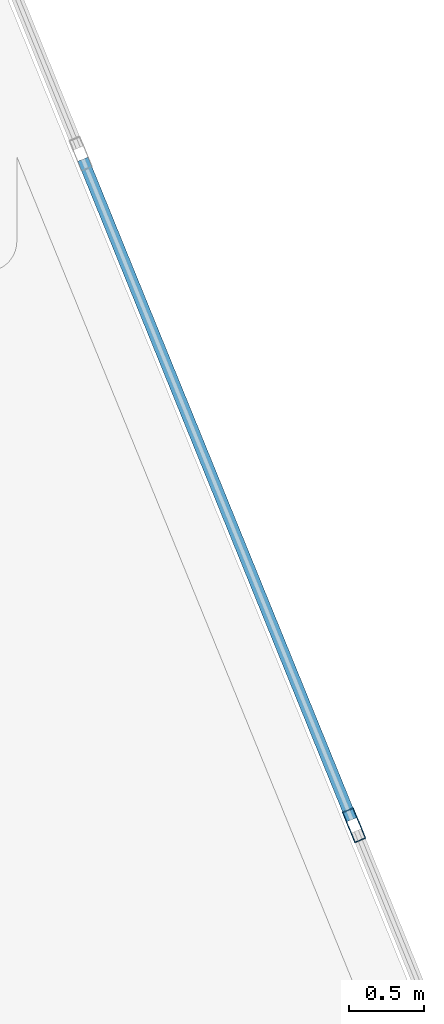
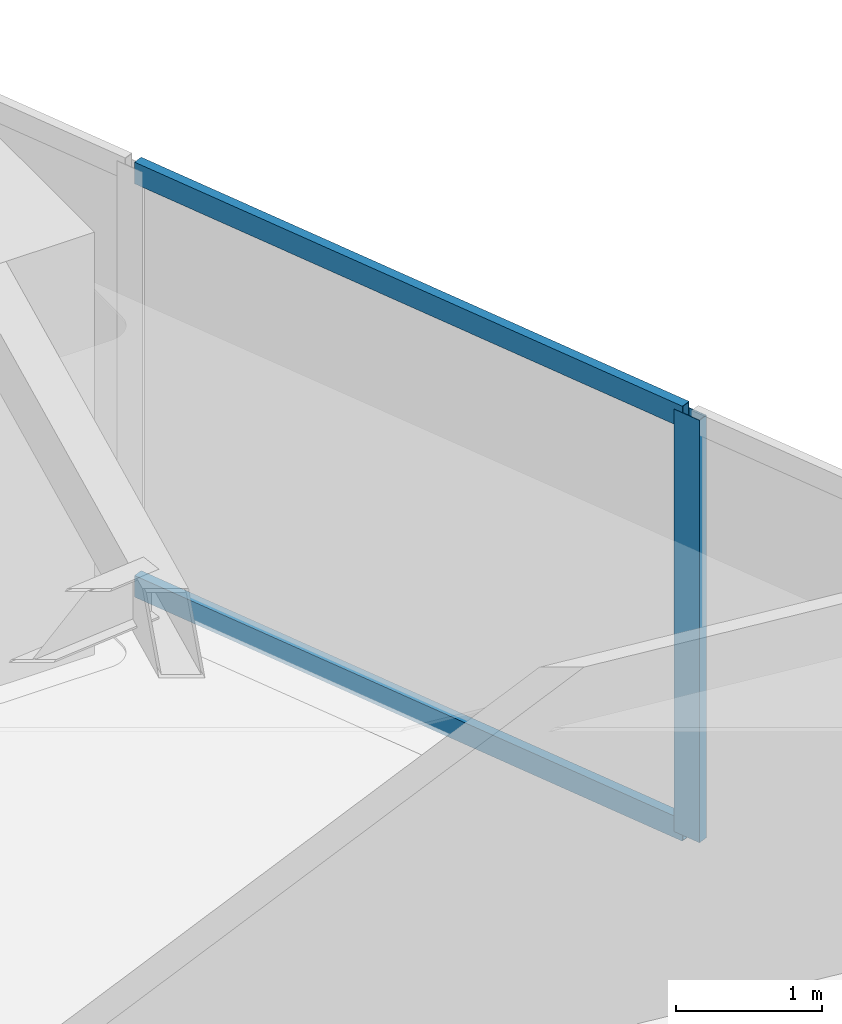
# One storey, part 14 of 24: 3 members, 1 element without a shape of its own.
"""IFC4 building model written with IfcOpenShell, lengths in metres."""

import ifcopenshell
import ifcopenshell.guid

model = None  # the IFC model being written
_history = None  # IfcOwnerHistory: only IFC2X3 demands one
_inside = {}  # id of a spatial element -> (the spatial element, [elements in it])
_under = {}  # id of a project, library or spatial element -> (it, [spatial elements below it])
_declared = {}  # id of a project -> (the project, [libraries it declares])
_typed = {}  # id of a type object -> (the type object, [elements of that type])
_made_of = {}  # id of a material, layer set ... -> (it, [elements and type objects made of it])


def new_model(schema):
    """Start an empty IFC model of exactly this schema.

    Asked for "IFC4X3", IfcOpenShell would pick the latest addendum, in which some entities
    have other attributes; the version numbers below select the first issue.
    IFC2X3 requires an IfcOwnerHistory on every rooted entity: one is made here for all.
    """
    global model, _history
    if schema == "IFC4X3":
        model = ifcopenshell.file(schema_version=(4, 3, 0, 0))
    else:
        model = ifcopenshell.file(schema=schema)
    _inside.clear()
    _under.clear()
    _declared.clear()
    _typed.clear()
    _made_of.clear()
    _history = None
    if model.schema == "IFC2X3":
        org = make("IfcOrganization", Name="unknown")
        user = make(
            "IfcPersonAndOrganization",
            ThePerson=make("IfcPerson", FamilyName="unknown"),
            TheOrganization=org,
        )
        app = make(
            "IfcApplication",
            ApplicationDeveloper=org,
            Version="unknown",
            ApplicationFullName="unknown",
            ApplicationIdentifier="unknown",
        )
        _history = make(
            "IfcOwnerHistory",
            OwningUser=user,
            OwningApplication=app,
            ChangeAction="ADDED",
            CreationDate=0,
        )
    return model


def make(cls, **values):
    """One entity of the class cls with the attributes given. An attribute that is None is left unset."""
    return model.create_entity(
        cls, **{name: value for name, value in values.items() if value is not None}
    )


def rooted(cls, **values):
    """An entity with a GlobalId (a new one), such as an element, a storey or a relation."""
    return make(cls, GlobalId=ifcopenshell.guid.new(), OwnerHistory=_history, **values)


def si_unit(unit_type, name, prefix=None):
    """IfcSIUnit, for example si_unit("LENGTHUNIT", "METRE", prefix="MILLI")."""
    return make("IfcSIUnit", UnitType=unit_type, Prefix=prefix, Name=name)


def assignment(units):
    """IfcUnitAssignment: the units of a project."""
    return None if units is None else make("IfcUnitAssignment", Units=units)


def point(xyz):
    """IfcCartesianPoint."""
    return None if xyz is None else make("IfcCartesianPoint", Coordinates=xyz)


def direction(xyz):
    """IfcDirection."""
    return None if xyz is None else make("IfcDirection", DirectionRatios=xyz)


def frame(location, z_axis=None, x_axis=None):
    """IfcAxis2Placement3D, a coordinate frame: its origin and axes. An axis left out is left unset."""
    return make(
        "IfcAxis2Placement3D",
        Location=point(location),
        Axis=direction(z_axis),
        RefDirection=direction(x_axis),
    )


def frame_2d(location, x_axis=None):
    """IfcAxis2Placement2D, a coordinate frame in the plane: its origin and x axis."""
    return make(
        "IfcAxis2Placement2D", Location=point(location), RefDirection=direction(x_axis)
    )


def origin():
    """The frame at (0, 0, 0) with its axes left unset."""
    return frame((0.0, 0.0, 0.0))


def origin_2d():
    """The frame at (0, 0) in the plane with its x axis left unset."""
    return frame_2d((0.0, 0.0))


def place(relative_to, where):
    """IfcLocalPlacement: puts the frame where relative to a parent placement (None: the world)."""
    return make(
        "IfcLocalPlacement", PlacementRelTo=relative_to, RelativePlacement=where
    )


def context(
    kind, dimensions, precision=None, world=None, true_north=None, identifier=None
):
    """IfcGeometricRepresentationContext, for example the 3D "Model" context."""
    return make(
        "IfcGeometricRepresentationContext",
        ContextIdentifier=identifier,
        ContextType=kind,
        CoordinateSpaceDimension=dimensions,
        Precision=precision,
        WorldCoordinateSystem=world,
        TrueNorth=true_north,
    )


def subcontext(parent, identifier, kind, view, scale=None):
    """IfcGeometricRepresentationSubContext, for example "Body" below "Model"."""
    return make(
        "IfcGeometricRepresentationSubContext",
        ContextIdentifier=identifier,
        ContextType=kind,
        ParentContext=parent,
        TargetScale=scale,
        TargetView=view,
    )


def project(units=None, contexts=None):
    """IfcProject with its units and contexts."""
    return rooted(
        "IfcProject",
        Name="project",
        RepresentationContexts=contexts,
        UnitsInContext=assignment(units),
    )


def spatial(cls, under=None, at=None, **own):
    """A site, building, storey or space (cls), placed at a placement, below another one or the project."""
    s = rooted(cls, ObjectPlacement=at, **own)
    if under is not None:
        _under.setdefault(under.id(), (under, []))[1].append(s)
    return s


def profile(cls, at=None, kind="AREA", **sizes):
    """A parametric profile (cls). Its sizes go by their IFC names, for example OverallWidth=200.0."""
    return make(cls, ProfileType=kind, Position=at, **sizes)


def hollow_rectangle(**sizes):
    """IfcRectangleHollowProfileDef."""
    return profile("IfcRectangleHollowProfileDef", **sizes)


def extrude(swept, where, along, depth):
    """IfcExtrudedAreaSolid: the profile swept, set in the frame where, extruded along a direction by depth."""
    return make(
        "IfcExtrudedAreaSolid",
        SweptArea=swept,
        Position=where,
        ExtrudedDirection=direction(along),
        Depth=depth,
    )


def shape(context_of_items, identifier, shape_type, items):
    """IfcShapeRepresentation: the items that make up one representation, for example the "Body"."""
    return make(
        "IfcShapeRepresentation",
        ContextOfItems=context_of_items,
        RepresentationIdentifier=identifier,
        RepresentationType=shape_type,
        Items=items,
    )


def source(mapping_origin, context_of_items, identifier, shape_type, items):
    """IfcRepresentationMap: a shape defined once, which mapped items show again and again."""
    return make(
        "IfcRepresentationMap",
        MappingOrigin=mapping_origin,
        MappedRepresentation=shape(context_of_items, identifier, shape_type, items),
    )


def transform(
    local_origin,
    x_axis=None,
    y_axis=None,
    z_axis=None,
    scale=None,
    scale2=None,
    scale3=None,
    uniform=True,
):
    """IfcCartesianTransformationOperator3D, or its non-uniform kind. x_axis, y_axis, z_axis: its Axis1, 2, 3."""
    if uniform:
        return make(
            "IfcCartesianTransformationOperator3D",
            Axis1=direction(x_axis),
            Axis2=direction(y_axis),
            LocalOrigin=point(local_origin),
            Scale=scale,
            Axis3=direction(z_axis),
        )
    return make(
        "IfcCartesianTransformationOperator3DnonUniform",
        Axis1=direction(x_axis),
        Axis2=direction(y_axis),
        LocalOrigin=point(local_origin),
        Scale=scale,
        Axis3=direction(z_axis),
        Scale2=scale2,
        Scale3=scale3,
    )


def mapped(mapping_source, mapping_target):
    """IfcMappedItem: shows the shape of a source again, moved by a transform."""
    return make(
        "IfcMappedItem", MappingSource=mapping_source, MappingTarget=mapping_target
    )


def material(Name=None, Category=None):
    """IfcMaterial."""
    return make("IfcMaterial", Name=Name, Category=Category)


def layer(
    of_material, thickness, ventilated=None, Name=None, Category=None, Priority=None
):
    """IfcMaterialLayer: one layer of a wall or slab, of a material (None: an air gap)."""
    return make(
        "IfcMaterialLayer",
        Material=of_material,
        LayerThickness=thickness,
        IsVentilated=ventilated,
        Name=Name,
        Category=Category,
        Priority=Priority,
    )


def layer_set(layers, Name=None):
    """IfcMaterialLayerSet."""
    return make("IfcMaterialLayerSet", MaterialLayers=layers, LayerSetName=Name)


def material_profile(
    of_material, cross_section, Name=None, Category=None, Priority=None
):
    """IfcMaterialProfile: a cross section and its material."""
    return make(
        "IfcMaterialProfile",
        Name=Name,
        Material=of_material,
        Profile=cross_section,
        Priority=Priority,
        Category=Category,
    )


def profile_set(profiles, Name=None, composite=None):
    """IfcMaterialProfileSet."""
    return make(
        "IfcMaterialProfileSet",
        Name=Name,
        MaterialProfiles=profiles,
        CompositeProfile=composite,
    )


def made_of(thing, what):
    """Note that an element or type object is made of a material, layer set ...; save() writes the relation."""
    if what is not None:
        _made_of.setdefault(what.id(), (what, []))[1].append(thing)
    return thing


def type_object(cls, material=None, **own):
    """A type object (cls), such as IfcWallType, which elements share."""
    return made_of(rooted(cls, **own), material)


def type_shapes(of_type, sources):
    """Give a type object the sources (RepresentationMaps) that its elements show as mapped items."""
    of_type.RepresentationMaps = sources


def element(
    cls,
    number,
    at=None,
    inside=None,
    cuts=None,
    type_object=None,
    material=None,
    context=None,
    identifier="Body",
    shape_type=None,
    held_by="IfcProductDefinitionShape",
    body=None,
    shapes=None,
    **own,
):
    """One element of the class cls, such as IfcWall. Its Tag is "e" and its number.

    at: its placement. inside: the storey or other place that contains it. cuts: it is an
    opening in that element (IfcRelVoidsElement). A single representation is given by context,
    identifier, shape_type and body (its items); several are given by shapes. held_by: the class
    of the entity that holds the representations. save() writes the other relations.
    """
    e = rooted(cls, Tag="e%d" % number, ObjectPlacement=at, **own)
    if body is not None:
        shapes = [shape(context, identifier, shape_type, body)]
    if shapes is not None:
        e.Representation = make(held_by, Representations=shapes)
    if inside is not None:
        _inside.setdefault(inside.id(), (inside, []))[1].append(e)
    if cuts is not None:
        rooted(
            "IfcRelVoidsElement", RelatingBuildingElement=cuts, RelatedOpeningElement=e
        )
    if type_object is not None:
        _typed.setdefault(type_object.id(), (type_object, []))[1].append(e)
    return made_of(e, material)


def aggregate(whole, parts):
    """IfcRelAggregates: a whole, such as a stair, and the parts it consists of."""
    return rooted("IfcRelAggregates", RelatingObject=whole, RelatedObjects=parts)


def save(model, path):
    """Write the relations noted so far, then the file.

    IfcRelAggregates (storeys below a building ...), IfcRelContainedInSpatialStructure (elements
    in a storey), IfcRelDefinesByType, IfcRelAssociatesMaterial and IfcRelDeclares: one each for
    every whole, place, type object, material and project.
    """
    for whole, parts in _under.values():
        aggregate(whole, parts)
    for where, things in _inside.values():
        rooted(
            "IfcRelContainedInSpatialStructure",
            RelatedElements=things,
            RelatingStructure=where,
        )
    for kind, things in _typed.values():
        rooted("IfcRelDefinesByType", RelatedObjects=things, RelatingType=kind)
    for what, things in _made_of.values():
        rooted("IfcRelAssociatesMaterial", RelatedObjects=things, RelatingMaterial=what)
    for by, libraries in _declared.values():
        rooted("IfcRelDeclares", RelatingContext=by, RelatedDefinitions=libraries)
    model.write(path)


model = new_model("IFC4")

# Units and contexts
model_context = context("Model", 3, precision=1e-05, world=origin(), true_north=direction((0.0, 1.0)))
body_context = subcontext(model_context, "Body", "Model", "MODEL_VIEW")
ifc_project = project(units=[si_unit("LENGTHUNIT", "METRE"), si_unit("AREAUNIT", "SQUARE_METRE"), si_unit("VOLUMEUNIT", "CUBIC_METRE"), si_unit("PLANEANGLEUNIT", "RADIAN"), si_unit("MASSUNIT", "GRAM", prefix="KILO")], contexts=[model_context])

# Site, building, storey
site_placement = place(None, origin())
site = spatial("IfcSite", under=ifc_project, at=site_placement, CompositionType="ELEMENT")
building_placement = place(site_placement, origin())
building = spatial("IfcBuilding", under=site, at=building_placement, Name="Talar Marvaseh", CompositionType="ELEMENT")
storey_placement = place(building_placement, frame((0.0, 0.0, 31.60009765625)))
storey = spatial("IfcBuildingStorey", under=building, at=storey_placement, Name="L07", CompositionType="ELEMENT", Elevation=31.60009765625)

# Curtain wall, members
ifc_material = material(Name="Architectural Aluminium", Category="aluminium")
ifc_layer = layer(ifc_material, 0.219970703125)
ifc_layer_set = layer_set([ifc_layer], Name="Architectural Aluminium")
curtain_wall_type = type_object("IfcCurtainWallType", Name="Unitised Low-E Museum Curtain Wall Z1", PredefinedType="NOTDEFINED", material=ifc_layer_set)
curtain_wall_placement = place(storey_placement, origin())
curtain_wall = element("IfcCurtainWall", 1, at=curtain_wall_placement, inside=storey, type_object=curtain_wall_type, Name="L07 Unitised Low-E Museum Curtain Wall Z1", PredefinedType="NOTDEFINED")
ifc_material_profile_1 = material_profile(ifc_material, hollow_rectangle(XDim=0.080078125, YDim=0.219970703125, WallThickness=0.0048828125, at=origin_2d()), Name="RHS220x80x5")
ifc_profile_set_1 = profile_set([ifc_material_profile_1], Name="Architectural Aluminium")
member_type_1 = type_object("IfcMemberType", Name="Unitised Curtain Wall Heavy Mullion RHS220x80x5", PredefinedType="MULLION", material=ifc_profile_set_1)
shared_shape_1 = source(origin(), body_context, "Body", "SweptSolid", [
    extrude(hollow_rectangle(XDim=0.080078125, YDim=0.219970703125, WallThickness=0.0048828125, at=origin_2d()), origin(), (0.0, 0.0, 1.0), 3.52001953125),
])
type_shapes(member_type_1, [shared_shape_1])
member_1_placement = place(storey_placement, frame((49.99169921875, 26.52978515625, 0.0), z_axis=(0.0, 0.0, 1.0), x_axis=(0.926174284661, 0.377095736428, 0.0)))
member_1 = element("IfcMember", 2, at=member_1_placement, type_object=member_type_1, Name="CW-Z1 mullion 4", PredefinedType="MULLION", context=body_context, shape_type="MappedRepresentation", body=[
    mapped(shared_shape_1, transform((0.0, 0.0, 0.0), x_axis=(1.0, 0.0, 0.0), y_axis=(0.0, 1.0, 0.0), z_axis=(0.0, 0.0, 1.0), scale=1.0)),
])
ifc_material_profile_2 = material_profile(ifc_material, hollow_rectangle(XDim=0.074951171875, YDim=0.179931640625, WallThickness=0.0048828125, at=origin_2d()), Name="RHS180x75x5")
ifc_profile_set_2 = profile_set([ifc_material_profile_2], Name="Architectural Aluminium")
member_type_2 = type_object("IfcMemberType", Name="Unitised Curtain Wall Transom RHS180x75x5", PredefinedType="USERDEFINED", material=ifc_profile_set_2)
shared_shape_2 = source(origin(), body_context, "Body", "SweptSolid", [
    extrude(hollow_rectangle(XDim=0.074951171875, YDim=0.179931640625, WallThickness=0.0048828125, at=origin_2d()), origin(), (0.0, 0.0, 1.0), 4.736572265625),
])
type_shapes(member_type_2, [shared_shape_2])
member_2_placement = place(storey_placement, frame((48.1904296875, 30.95361328125, 0.037353515625), z_axis=(0.37708894708, -0.926177048944, 0.0), x_axis=(0.926177048944, 0.37708894708, 0.0)))
member_2 = element("IfcMember", 3, at=member_2_placement, type_object=member_type_2, Name="CW-Z1 transom 3.1", ObjectType="TRANSOM", PredefinedType="USERDEFINED", context=body_context, shape_type="MappedRepresentation", body=[
    mapped(shared_shape_2, transform((0.0, 0.0, 0.0), x_axis=(1.0, 0.0, 0.0), y_axis=(0.0, 1.0, 0.0), z_axis=(0.0, 0.0, 1.0), scale=1.0)),
])
member_3_placement = place(storey_placement, frame((48.1904296875, 30.95361328125, 3.482421875), z_axis=(0.37708894708, -0.926177048944, 0.0), x_axis=(0.926177048944, 0.37708894708, 0.0)))
member_3 = element("IfcMember", 4, at=member_3_placement, type_object=member_type_2, Name="CW-Z1 transom 3.2", ObjectType="TRANSOM", PredefinedType="USERDEFINED", context=body_context, shape_type="MappedRepresentation", body=[
    mapped(shared_shape_2, transform((0.0, 0.0, 0.0), x_axis=(1.0, 0.0, 0.0), y_axis=(0.0, 1.0, 0.0), z_axis=(0.0, 0.0, 1.0), scale=1.0)),
])
aggregate(curtain_wall, [member_1, member_2, member_3])

save(model, "model.ifc")
